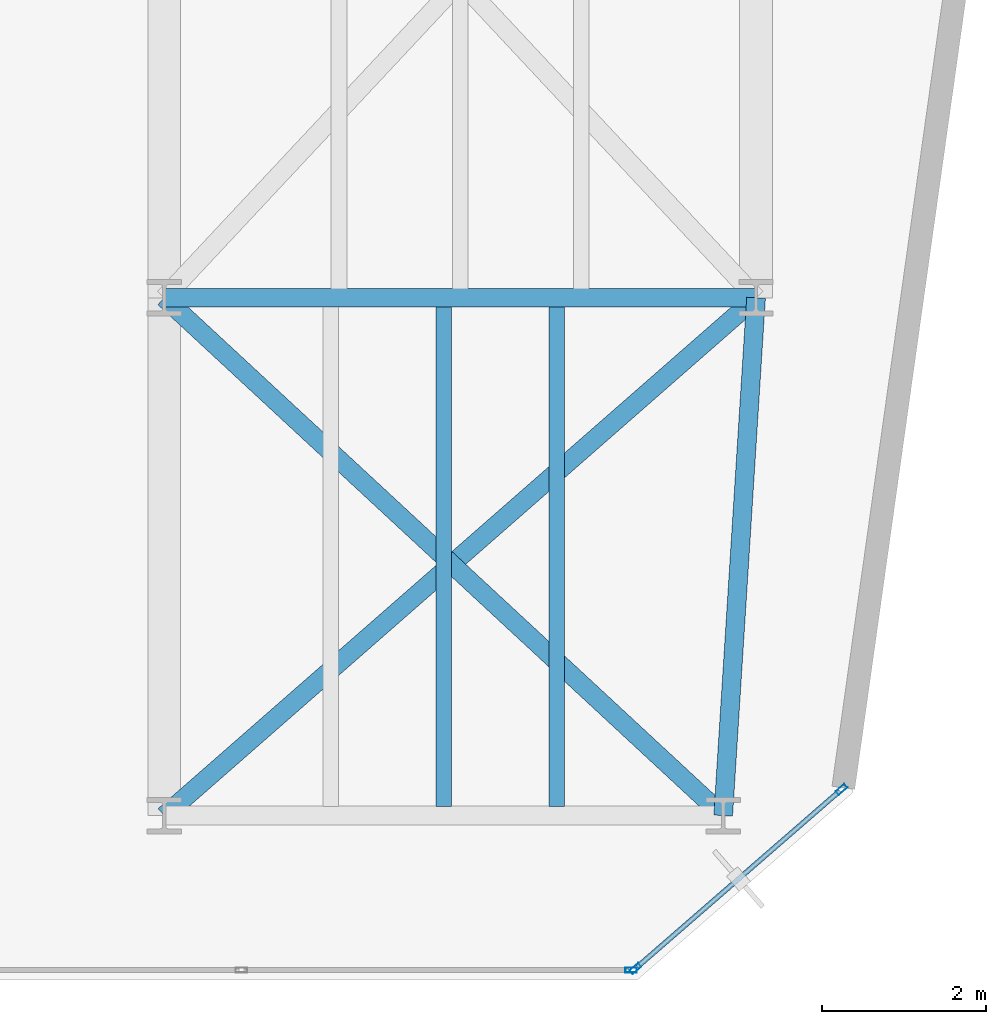
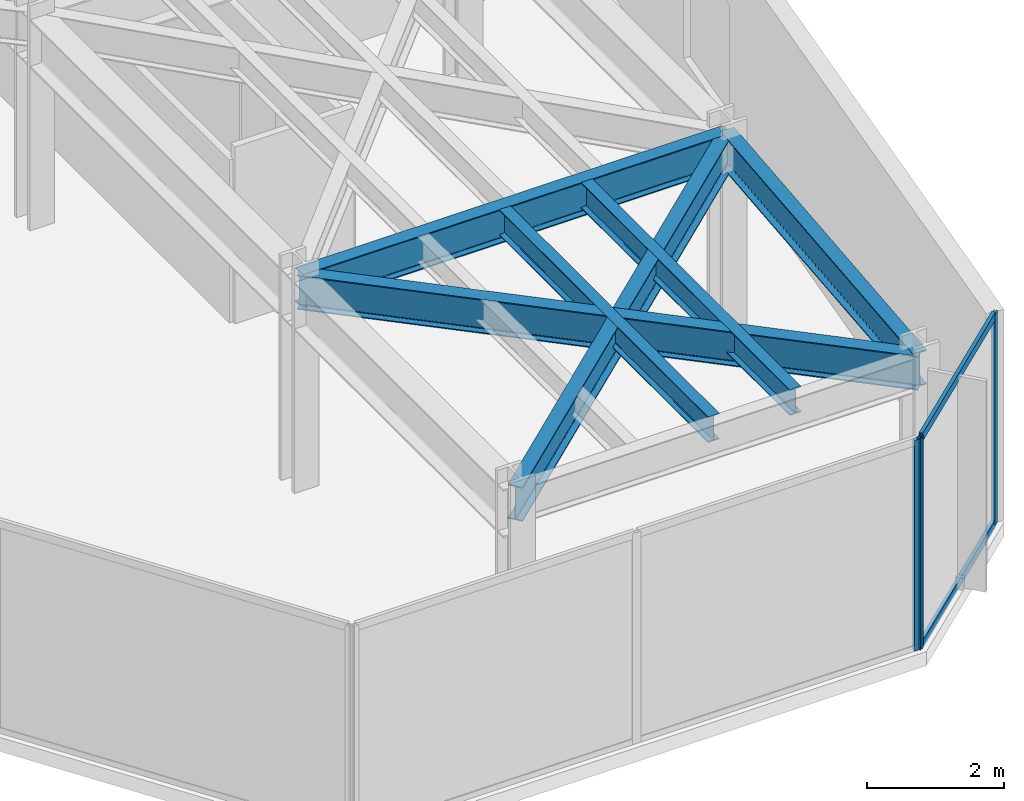
# One storey, part 19 of 26: 6 beams, 5 members, 2 elements without a shape of their own.
"""IFC4 building model written with IfcOpenShell, lengths in metres."""

from ifc_helpers import new_model, si_unit, direction, frame, origin, origin_2d, place, context, subcontext, project, spatial, hollow_rectangle, i_section, extrude, material, layer, layer_set, material_profile, profile_set, type_object, element, aggregate, save


model = new_model("IFC4")

# Units and contexts
model_context = context("Model", 3, precision=1e-05, world=origin(), true_north=direction((0.0, 1.0)))
body_context = subcontext(model_context, "Body", "Model", "MODEL_VIEW")
ifc_project = project(units=[si_unit("LENGTHUNIT", "METRE"), si_unit("AREAUNIT", "SQUARE_METRE"), si_unit("VOLUMEUNIT", "CUBIC_METRE"), si_unit("PLANEANGLEUNIT", "RADIAN"), si_unit("MASSUNIT", "GRAM", prefix="KILO")], contexts=[model_context])

# Site, building, storey
site_placement = place(None, origin())
site = spatial("IfcSite", under=ifc_project, at=site_placement, CompositionType="ELEMENT")
building_placement = place(site_placement, origin())
building = spatial("IfcBuilding", under=site, at=building_placement, Name="Kravanh Interchange Tower", CompositionType="ELEMENT")
storey_placement = place(building_placement, frame((0.0, 0.0, 132.0)))
storey = spatial("IfcBuildingStorey", under=building, at=storey_placement, Name="L31", CompositionType="ELEMENT", Elevation=132.0)

# Curtain wall, members
ifc_material_1 = material(Name="Anodised Bronze Aluminium", Category="aluminium")
ifc_layer = layer(ifc_material_1, 0.179931640625)
ifc_layer_set = layer_set([ifc_layer], Name="Unitised Curtain Wall System CW-Z2 Mid Office")
curtain_wall_type = type_object("IfcCurtainWallType", Name="Unitised Curtain Wall System CW-Z2 Mid Office", PredefinedType="NOTDEFINED", material=ifc_layer_set)
curtain_wall_1_placement = place(storey_placement, origin())
curtain_wall_1 = element("IfcCurtainWall", 1, at=curtain_wall_1_placement, inside=storey, type_object=curtain_wall_type, Name="L31 Unitised Curtain Wall CW-L31-02", PredefinedType="NOTDEFINED")
ifc_material_2 = material(Name="Anodised Bronze Aluminium", Category="aluminium")
ifc_material_profile_1 = material_profile(ifc_material_2, hollow_rectangle(XDim=0.06005859375, YDim=0.139892578125, WallThickness=0.00390625, at=origin_2d()), Name="ALU60X140X4")
ifc_profile_set_1 = profile_set([ifc_material_profile_1], Name="Anodised Bronze Aluminium")
member_type_1 = type_object("IfcMemberType", Name="Curtain Wall Mullion ALU60X140X4 Bronze", PredefinedType="MULLION", material=ifc_profile_set_1)
member_1_placement = place(storey_placement, frame((64.239990234375, 8.51904296875, 0.0), z_axis=(0.0, 0.0, 1.0), x_axis=(0.656047665617, -0.754719458103, 0.0)))
member_1 = element("IfcMember", 2, at=member_1_placement, type_object=member_type_1, Name="CW-Z2 mullion 1", PredefinedType="MULLION", context=body_context, shape_type="SweptSolid", body=[
    extrude(hollow_rectangle(XDim=0.06005859375, YDim=0.139892578125, WallThickness=0.00390625, at=origin_2d()), origin(), (0.0, 0.0, 1.0), 3.75),
])
member_2_placement = place(storey_placement, frame((61.73291015625, 6.339599609375, 0.0), z_axis=(0.0, 0.0, 1.0), x_axis=(0.656047665617, -0.754719458103, 0.0)))
member_2 = element("IfcMember", 3, at=member_2_placement, type_object=member_type_1, Name="CW-Z2 mullion 2", PredefinedType="MULLION", context=body_context, shape_type="SweptSolid", body=[
    extrude(hollow_rectangle(XDim=0.06005859375, YDim=0.139892578125, WallThickness=0.00390625, at=origin_2d()), origin(), (0.0, 0.0, 1.0), 3.75),
])

# Curtain wall, member
curtain_wall_2_placement = place(storey_placement, origin())
curtain_wall_2 = element("IfcCurtainWall", 4, at=curtain_wall_2_placement, inside=storey, type_object=curtain_wall_type, Name="L31 Unitised Curtain Wall CW-L31-03", PredefinedType="NOTDEFINED")
member_3_placement = place(storey_placement, frame((61.68017578125, 6.320068359375, 0.0), z_axis=(0.0, 0.0, 1.0), x_axis=(0.0, -1.0, 0.0)))
member_3 = element("IfcMember", 5, at=member_3_placement, type_object=member_type_1, Name="CW-Z2 mullion 1", PredefinedType="MULLION", context=body_context, shape_type="SweptSolid", body=[
    extrude(hollow_rectangle(XDim=0.06005859375, YDim=0.139892578125, WallThickness=0.00390625, at=origin_2d()), origin(), (0.0, 0.0, 1.0), 3.75),
])
aggregate(curtain_wall_2, [member_3])

# Member
ifc_material_3 = material(Name="Anodised Bronze Aluminium", Category="aluminium")
ifc_material_profile_2 = material_profile(ifc_material_3, hollow_rectangle(XDim=0.06005859375, YDim=0.139892578125, WallThickness=0.00390625, at=origin_2d()), Name="ALU60X140X4")
ifc_profile_set_2 = profile_set([ifc_material_profile_2], Name="Anodised Bronze Aluminium")
member_type_2 = type_object("IfcMemberType", Name="Curtain Wall Transom ALU60X140X4 Bronze", PredefinedType="USERDEFINED", material=ifc_profile_set_2)
member_4_placement = place(storey_placement, frame((64.21728515625, 8.499267578125, 0.030029296875), z_axis=(-0.754742467432, -0.656021194669, 0.0), x_axis=(0.656021194669, -0.754742467432, 0.0)))
member_4 = element("IfcMember", 6, at=member_4_placement, type_object=member_type_2, Name="CW-Z2 transom 1.1", ObjectType="TRANSOM", PredefinedType="USERDEFINED", context=body_context, shape_type="SweptSolid", body=[
    extrude(hollow_rectangle(XDim=0.06005859375, YDim=0.139892578125, WallThickness=0.00390625, at=origin_2d()), origin(), (0.0, 0.0, 1.0), 3.261962890625),
])

member_5_placement = place(storey_placement, frame((64.21728515625, 8.499267578125, 3.719970703125), z_axis=(-0.754742467432, -0.656021194669, 0.0), x_axis=(0.656021194669, -0.754742467432, 0.0)))
member_5 = element("IfcMember", 7, at=member_5_placement, type_object=member_type_2, Name="CW-Z2 transom 1.2", ObjectType="TRANSOM", PredefinedType="USERDEFINED", context=body_context, shape_type="SweptSolid", body=[
    extrude(hollow_rectangle(XDim=0.06005859375, YDim=0.139892578125, WallThickness=0.00390625, at=origin_2d()), origin(), (0.0, 0.0, 1.0), 3.261962890625),
])

aggregate(curtain_wall_1, [member_1, member_2, member_4, member_5])

# Beams
ifc_material_4 = material(Name="Structural Steel S355", Category="steel")
ifc_material_profile_3 = material_profile(ifc_material_4, i_section(OverallWidth=0.18994140625, OverallDepth=0.45703125, WebThickness=0.009033203125, FlangeThickness=0.014404296875, FilletRadius=0.01806640625, at=origin_2d()), Name="W18X50")
ifc_profile_set_3 = profile_set([ifc_material_profile_3], Name="Structural Steel S355")
beam_type_1 = type_object("IfcBeamType", Name="Floor Joist W18X50 Structural Steel S355", PredefinedType="JOIST", material=ifc_profile_set_3)
for number, where, z_axis, x_axis, name in (
    (8, (59.39990234375, 8.30908203125, 3.521484375), (0.0, 1.0, 0.0), (-1.0, 0.0, 0.0), "L31 Secondary Floor Joist 5"),
    (9, (60.77490234375, 8.30908203125, 3.521484375), (0.0, 1.0, 0.0), (-1.0, 0.0, 0.0), "L31 Secondary Floor Joist 6"),
):
    element("IfcBeam", number, at=place(storey_placement, frame(where, z_axis=z_axis, x_axis=x_axis)), inside=storey, type_object=beam_type_1, Name=name, PredefinedType="JOIST", context=body_context, shape_type="SweptSolid", body=[
        extrude(i_section(OverallWidth=0.18994140625, OverallDepth=0.45703125, WebThickness=0.009033203125, FlangeThickness=0.014404296875, FilletRadius=0.01806640625, at=origin_2d()), origin(), (0.0, 0.0, 1.0), 6.08203125),
    ])
ifc_material_5 = material(Name="Structural Steel S355", Category="steel")
ifc_material_profile_4 = material_profile(ifc_material_5, i_section(OverallWidth=0.22802734375, OverallDepth=0.60791015625, WebThickness=0.01123046875, FlangeThickness=0.017333984375, FilletRadius=0.02197265625, at=origin_2d()), Name="W24X76")
ifc_profile_set_4 = profile_set([ifc_material_profile_4], Name="Structural Steel S355")
beam_type_2 = type_object("IfcBeamType", Name="Floor Spandrel W24X76 Structural Steel S355", PredefinedType="SPANDREL", material=ifc_profile_set_4)
beam_1_placement = place(storey_placement, frame((56.0, 8.199951171875, 3.446044921875), z_axis=(0.752571952274, 0.658510027752, 0.0), x_axis=(-0.658510027752, 0.752571952274, 0.0)))
element("IfcBeam", 10, at=beam_1_placement, inside=storey, type_object=beam_type_2, Name="L31 Perimeter Spandrel 97", PredefinedType="SPANDREL", context=body_context, shape_type="SweptSolid", body=[
    extrude(i_section(OverallWidth=0.22802734375, OverallDepth=0.60791015625, WebThickness=0.01123046875, FlangeThickness=0.017333984375, FilletRadius=0.02197265625, at=origin_2d()), origin(), (0.0, 0.0, 1.0), 9.567138671875),
])
beam_2_placement = place(storey_placement, frame((62.800048828125, 8.199951171875, 3.446044921875), z_axis=(0.063348576418, 0.99799146182, 0.0), x_axis=(-0.99799146182, 0.063348576418, 0.0)))
element("IfcBeam", 11, at=beam_2_placement, inside=storey, type_object=beam_type_2, Name="L31 Perimeter Spandrel 98", PredefinedType="SPANDREL", context=body_context, shape_type="SweptSolid", body=[
    extrude(i_section(OverallWidth=0.22802734375, OverallDepth=0.60791015625, WebThickness=0.01123046875, FlangeThickness=0.017333984375, FilletRadius=0.02197265625, at=origin_2d()), origin(), (0.0, 0.0, 1.0), 6.312744140625),
])
beam_3_placement = place(storey_placement, frame((62.800048828125, 8.199951171875, 3.446044921875), z_axis=(-0.733561267923, 0.679623326706, 0.0), x_axis=(-0.679623326706, -0.733561267923, 0.0)))
element("IfcBeam", 12, at=beam_3_placement, inside=storey, type_object=beam_type_2, Name="L31 Perimeter Spandrel 99", PredefinedType="SPANDREL", context=body_context, shape_type="SweptSolid", body=[
    extrude(i_section(OverallWidth=0.22802734375, OverallDepth=0.60791015625, WebThickness=0.01123046875, FlangeThickness=0.017333984375, FilletRadius=0.02197265625, at=origin_2d()), origin(), (0.0, 0.0, 1.0), 9.27001953125),
])
beam_4_placement = place(storey_placement, frame((56.0, 14.5, 3.446044921875), z_axis=(1.0, 0.0, 0.0), x_axis=(0.0, 1.0, 0.0)))
element("IfcBeam", 13, at=beam_4_placement, inside=storey, type_object=beam_type_2, Name="L31 Perimeter Spandrel 103", PredefinedType="SPANDREL", context=body_context, shape_type="SweptSolid", body=[
    extrude(i_section(OverallWidth=0.22802734375, OverallDepth=0.60791015625, WebThickness=0.01123046875, FlangeThickness=0.017333984375, FilletRadius=0.02197265625, at=origin_2d()), origin(), (0.0, 0.0, 1.0), 7.199951171875),
])

save(model, "model.ifc")
